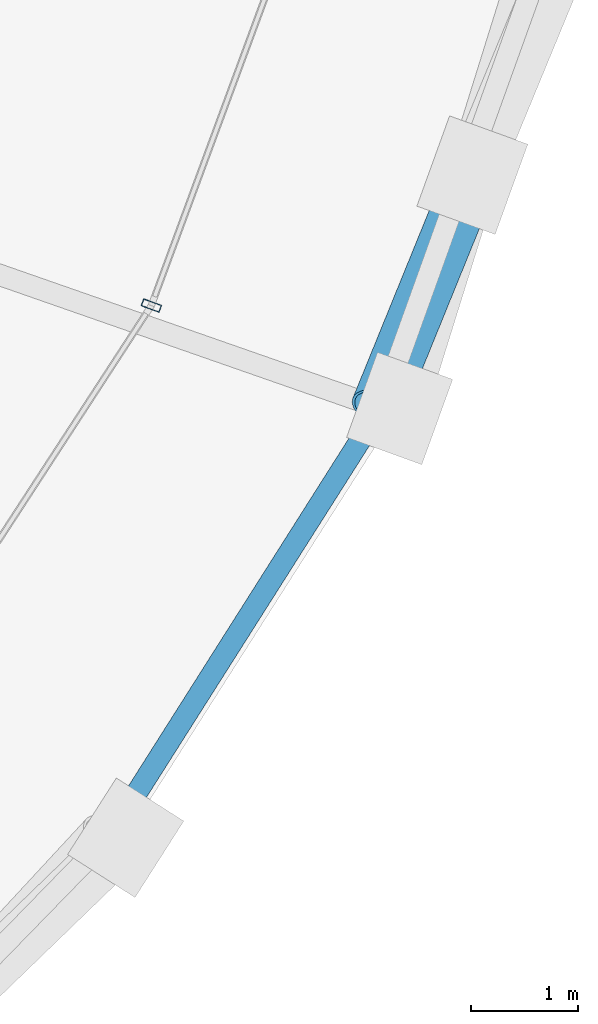
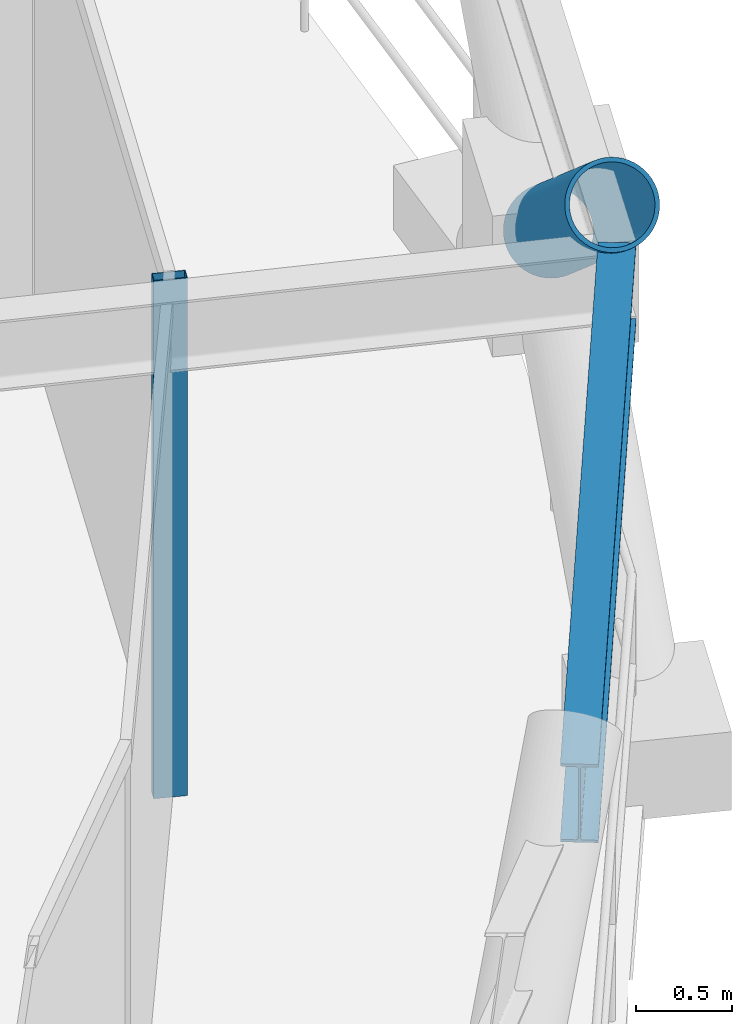
# One storey, part 8 of 17: 2 members, 1 beam, 1 element without a shape of its own.
"""IFC4 building model written with IfcOpenShell, lengths in metres."""

from ifc_helpers import new_model, si_unit, direction, frame, origin, origin_2d, place, context, subcontext, project, spatial, hollow_rectangle, hollow_circle, i_section, extrude, material, layer, layer_set, material_profile, profile_set, type_object, element, aggregate, save


model = new_model("IFC4")

# Units and contexts
model_context = context("Model", 3, precision=1e-05, world=origin(), true_north=direction((0.0, 1.0)))
body_context = subcontext(model_context, "Body", "Model", "MODEL_VIEW")
ifc_project = project(units=[si_unit("LENGTHUNIT", "METRE"), si_unit("AREAUNIT", "SQUARE_METRE"), si_unit("VOLUMEUNIT", "CUBIC_METRE"), si_unit("PLANEANGLEUNIT", "RADIAN"), si_unit("MASSUNIT", "GRAM", prefix="KILO")], contexts=[model_context])

# Site, building, storey
site_placement = place(None, origin())
site = spatial("IfcSite", under=ifc_project, at=site_placement, CompositionType="ELEMENT")
building_placement = place(site_placement, origin())
building = spatial("IfcBuilding", under=site, at=building_placement, Name="Veldorina Hangang Commons", CompositionType="ELEMENT")
storey_placement = place(building_placement, frame((0.0, 0.0, 178.39990234375)))
storey = spatial("IfcBuildingStorey", under=building, at=storey_placement, Name="L46", CompositionType="ELEMENT", Elevation=178.39990234375)

# Beam
ifc_material_1 = material(Name="Steel SM420-TMC", Category="steel")
ifc_material_profile_1 = material_profile(ifc_material_1, i_section(OverallWidth=0.199951171875, OverallDepth=0.5, WebThickness=0.010009765625, FlangeThickness=0.01611328125, FilletRadius=0.01611328125, at=origin_2d()), Name="H-500x200x10x16")
ifc_profile_set_1 = profile_set([ifc_material_profile_1], Name="Steel SM420-TMC")
beam_type = type_object("IfcBeamType", Name="BM-RB500", PredefinedType="BEAM", material=ifc_profile_set_1)
beam_placement = place(storey_placement, frame((54.95458984375, 11.06787109375, 3.10009765625), z_axis=(0.535445761576, 0.844569616083, 0.0), x_axis=(-0.844569616083, 0.535445761576, 0.0)))
element("IfcBeam", 1, at=beam_placement, inside=storey, type_object=beam_type, Name="L46 perimeter hoop ring beam 29", PredefinedType="BEAM", context=body_context, shape_type="SweptSolid", body=[
    extrude(i_section(OverallWidth=0.199951171875, OverallDepth=0.5, WebThickness=0.010009765625, FlangeThickness=0.01611328125, FilletRadius=0.01611328125, at=origin_2d()), origin(), (0.0, 0.0, 1.0), 4.7646484375),
])

# Curtain wall, member
ifc_material_2 = material(Name="Glass Low-E Triple IGU", Category="glass")
ifc_layer = layer(ifc_material_2, 0.179931640625)
ifc_layer_set = layer_set([ifc_layer], Name="Glass Low-E Triple IGU")
curtain_wall_type = type_object("IfcCurtainWallType", Name="CW-SYS-Z2", PredefinedType="NOTDEFINED", material=ifc_layer_set)
curtain_wall_placement = place(storey_placement, origin())
curtain_wall = element("IfcCurtainWall", 2, at=curtain_wall_placement, inside=storey, type_object=curtain_wall_type, Name="L46 unitised curtain wall CW-L46-R2", PredefinedType="NOTDEFINED")
ifc_material_3 = material(Name="Aluminium Anodized AA6063-T6", Category="aluminium")
ifc_material_profile_2 = material_profile(ifc_material_3, hollow_rectangle(XDim=0.070068359375, YDim=0.179931640625, WallThickness=0.00390625, at=origin_2d()), Name="ALU-RHS-180x70x4")
ifc_profile_set_2 = profile_set([ifc_material_profile_2], Name="Aluminium Anodized AA6063-T6")
member_type_1 = type_object("IfcMemberType", Name="CW-MUL-180", PredefinedType="MULLION", material=ifc_profile_set_2)
member_1_placement = place(storey_placement, frame((55.355224609375, 16.052490234375, 0.0), z_axis=(0.0, 0.0, 1.0), x_axis=(0.346395408811, 0.938088599629, 0.0)))
member_1 = element("IfcMember", 3, at=member_1_placement, type_object=member_type_1, Name="CW-L46-R2 vertical mullion 2", PredefinedType="MULLION", context=body_context, shape_type="SweptSolid", body=[
    extrude(hollow_rectangle(XDim=0.070068359375, YDim=0.179931640625, WallThickness=0.00390625, at=origin_2d()), origin(), (0.0, 0.0, 1.0), 3.31005859375),
])
aggregate(curtain_wall, [member_1])

# Member
ifc_material_profile_3 = material_profile(ifc_material_1, hollow_circle(Radius=0.25, WallThickness=0.02490234375, at=origin_2d()), Name="CHS-500x25")
ifc_profile_set_3 = profile_set([ifc_material_profile_3], Name="Steel SM420-TMC")
member_type_2 = type_object("IfcMemberType", Name="DG-CHS500", PredefinedType="BRACE", material=ifc_profile_set_3)
member_2_placement = place(storey_placement, frame((58.365234375, 17.275146484375, 1.801513671875), z_axis=(-0.299636098558, -0.736241639639, 0.606767217722), x_axis=(0.926230412795, -0.376957852304, 0.0)))
element("IfcMember", 4, at=member_2_placement, inside=storey, type_object=member_type_2, Name="L46 split perimeter diagrid upper brace 31", PredefinedType="BRACE", context=body_context, shape_type="SweptSolid", body=[
    extrude(hollow_circle(Radius=0.25, WallThickness=0.02490234375, at=origin_2d()), origin(), (0.0, 0.0, 1.0), 2.964111328125),
])

save(model, "model.ifc")
